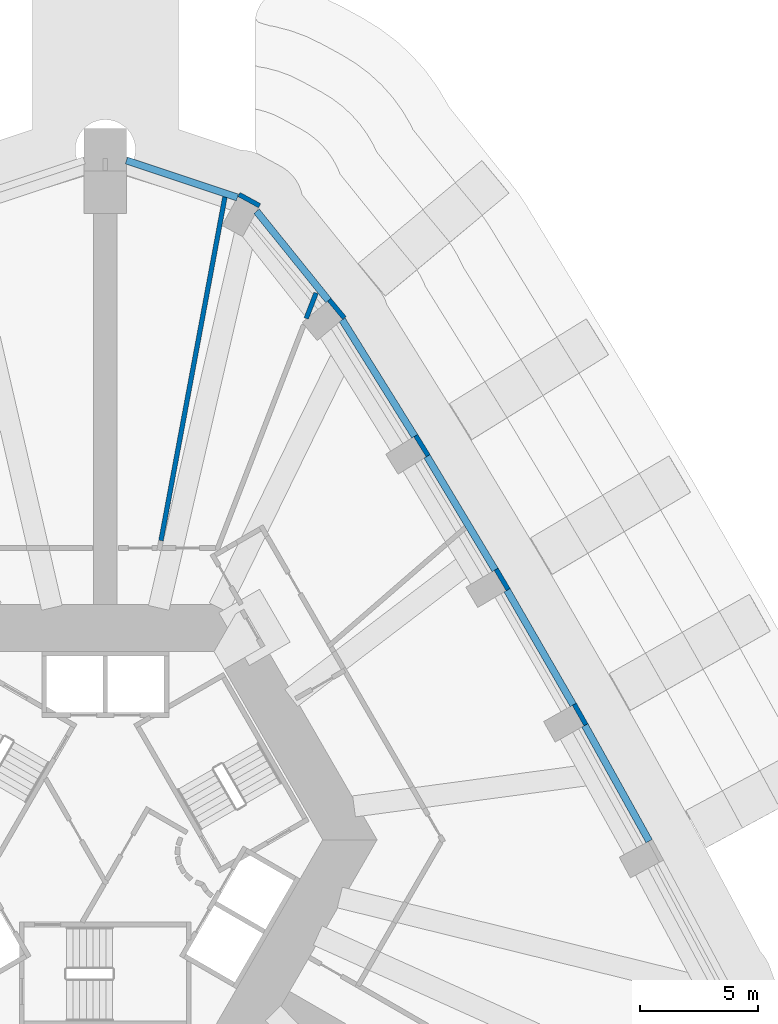
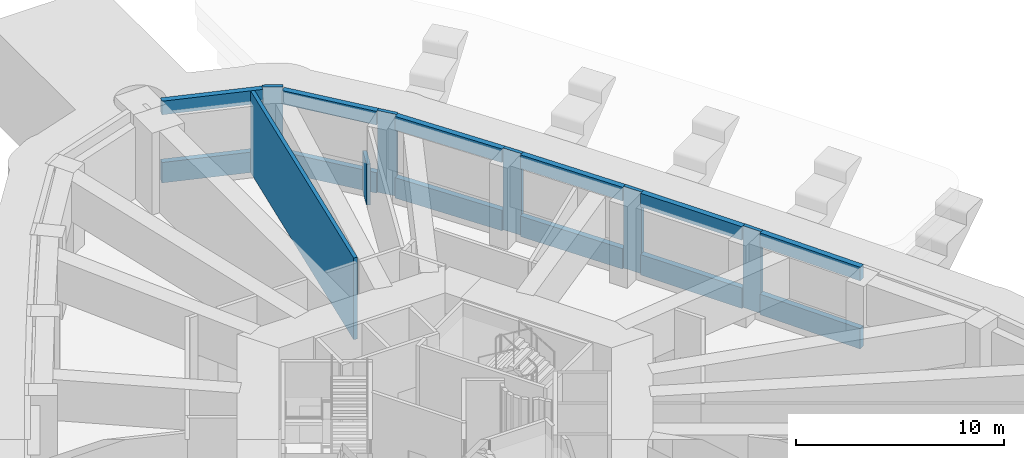
# One storey, part 8 of 16: 19 walls.
"""IFC4 building model written with IfcOpenShell, lengths in metres."""

import ifcopenshell
import ifcopenshell.guid

model = None  # the IFC model being written
_history = None  # IfcOwnerHistory: only IFC2X3 demands one
_inside = {}  # id of a spatial element -> (the spatial element, [elements in it])
_under = {}  # id of a project, library or spatial element -> (it, [spatial elements below it])
_declared = {}  # id of a project -> (the project, [libraries it declares])
_typed = {}  # id of a type object -> (the type object, [elements of that type])
_made_of = {}  # id of a material, layer set ... -> (it, [elements and type objects made of it])


def new_model(schema):
    """Start an empty IFC model of exactly this schema.

    Asked for "IFC4X3", IfcOpenShell would pick the latest addendum, in which some entities
    have other attributes; the version numbers below select the first issue.
    IFC2X3 requires an IfcOwnerHistory on every rooted entity: one is made here for all.
    """
    global model, _history
    if schema == "IFC4X3":
        model = ifcopenshell.file(schema_version=(4, 3, 0, 0))
    else:
        model = ifcopenshell.file(schema=schema)
    _inside.clear()
    _under.clear()
    _declared.clear()
    _typed.clear()
    _made_of.clear()
    _history = None
    if model.schema == "IFC2X3":
        org = make("IfcOrganization", Name="unknown")
        user = make(
            "IfcPersonAndOrganization",
            ThePerson=make("IfcPerson", FamilyName="unknown"),
            TheOrganization=org,
        )
        app = make(
            "IfcApplication",
            ApplicationDeveloper=org,
            Version="unknown",
            ApplicationFullName="unknown",
            ApplicationIdentifier="unknown",
        )
        _history = make(
            "IfcOwnerHistory",
            OwningUser=user,
            OwningApplication=app,
            ChangeAction="ADDED",
            CreationDate=0,
        )
    return model


def make(cls, **values):
    """One entity of the class cls with the attributes given. An attribute that is None is left unset."""
    return model.create_entity(
        cls, **{name: value for name, value in values.items() if value is not None}
    )


def rooted(cls, **values):
    """An entity with a GlobalId (a new one), such as an element, a storey or a relation."""
    return make(cls, GlobalId=ifcopenshell.guid.new(), OwnerHistory=_history, **values)


def si_unit(unit_type, name, prefix=None):
    """IfcSIUnit, for example si_unit("LENGTHUNIT", "METRE", prefix="MILLI")."""
    return make("IfcSIUnit", UnitType=unit_type, Prefix=prefix, Name=name)


def assignment(units):
    """IfcUnitAssignment: the units of a project."""
    return None if units is None else make("IfcUnitAssignment", Units=units)


def point(xyz):
    """IfcCartesianPoint."""
    return None if xyz is None else make("IfcCartesianPoint", Coordinates=xyz)


def direction(xyz):
    """IfcDirection."""
    return None if xyz is None else make("IfcDirection", DirectionRatios=xyz)


def frame(location, z_axis=None, x_axis=None):
    """IfcAxis2Placement3D, a coordinate frame: its origin and axes. An axis left out is left unset."""
    return make(
        "IfcAxis2Placement3D",
        Location=point(location),
        Axis=direction(z_axis),
        RefDirection=direction(x_axis),
    )


def frame_2d(location, x_axis=None):
    """IfcAxis2Placement2D, a coordinate frame in the plane: its origin and x axis."""
    return make(
        "IfcAxis2Placement2D", Location=point(location), RefDirection=direction(x_axis)
    )


def origin():
    """The frame at (0, 0, 0) with its axes left unset."""
    return frame((0.0, 0.0, 0.0))


def place(relative_to, where):
    """IfcLocalPlacement: puts the frame where relative to a parent placement (None: the world)."""
    return make(
        "IfcLocalPlacement", PlacementRelTo=relative_to, RelativePlacement=where
    )


def context(
    kind, dimensions, precision=None, world=None, true_north=None, identifier=None
):
    """IfcGeometricRepresentationContext, for example the 3D "Model" context."""
    return make(
        "IfcGeometricRepresentationContext",
        ContextIdentifier=identifier,
        ContextType=kind,
        CoordinateSpaceDimension=dimensions,
        Precision=precision,
        WorldCoordinateSystem=world,
        TrueNorth=true_north,
    )


def subcontext(parent, identifier, kind, view, scale=None):
    """IfcGeometricRepresentationSubContext, for example "Body" below "Model"."""
    return make(
        "IfcGeometricRepresentationSubContext",
        ContextIdentifier=identifier,
        ContextType=kind,
        ParentContext=parent,
        TargetScale=scale,
        TargetView=view,
    )


def project(units=None, contexts=None):
    """IfcProject with its units and contexts."""
    return rooted(
        "IfcProject",
        Name="project",
        RepresentationContexts=contexts,
        UnitsInContext=assignment(units),
    )


def spatial(cls, under=None, at=None, **own):
    """A site, building, storey or space (cls), placed at a placement, below another one or the project."""
    s = rooted(cls, ObjectPlacement=at, **own)
    if under is not None:
        _under.setdefault(under.id(), (under, []))[1].append(s)
    return s


def profile(cls, at=None, kind="AREA", **sizes):
    """A parametric profile (cls). Its sizes go by their IFC names, for example OverallWidth=200.0."""
    return make(cls, ProfileType=kind, Position=at, **sizes)


def rectangle(**sizes):
    """IfcRectangleProfileDef."""
    return profile("IfcRectangleProfileDef", **sizes)


def extrude(swept, where, along, depth):
    """IfcExtrudedAreaSolid: the profile swept, set in the frame where, extruded along a direction by depth."""
    return make(
        "IfcExtrudedAreaSolid",
        SweptArea=swept,
        Position=where,
        ExtrudedDirection=direction(along),
        Depth=depth,
    )


def shape(context_of_items, identifier, shape_type, items):
    """IfcShapeRepresentation: the items that make up one representation, for example the "Body"."""
    return make(
        "IfcShapeRepresentation",
        ContextOfItems=context_of_items,
        RepresentationIdentifier=identifier,
        RepresentationType=shape_type,
        Items=items,
    )


def material(Name=None, Category=None):
    """IfcMaterial."""
    return make("IfcMaterial", Name=Name, Category=Category)


def layer(
    of_material, thickness, ventilated=None, Name=None, Category=None, Priority=None
):
    """IfcMaterialLayer: one layer of a wall or slab, of a material (None: an air gap)."""
    return make(
        "IfcMaterialLayer",
        Material=of_material,
        LayerThickness=thickness,
        IsVentilated=ventilated,
        Name=Name,
        Category=Category,
        Priority=Priority,
    )


def layer_set(layers, Name=None):
    """IfcMaterialLayerSet."""
    return make("IfcMaterialLayerSet", MaterialLayers=layers, LayerSetName=Name)


def made_of(thing, what):
    """Note that an element or type object is made of a material, layer set ...; save() writes the relation."""
    if what is not None:
        _made_of.setdefault(what.id(), (what, []))[1].append(thing)
    return thing


def type_object(cls, material=None, **own):
    """A type object (cls), such as IfcWallType, which elements share."""
    return made_of(rooted(cls, **own), material)


def element(
    cls,
    number,
    at=None,
    inside=None,
    cuts=None,
    type_object=None,
    material=None,
    context=None,
    identifier="Body",
    shape_type=None,
    held_by="IfcProductDefinitionShape",
    body=None,
    shapes=None,
    **own,
):
    """One element of the class cls, such as IfcWall. Its Tag is "e" and its number.

    at: its placement. inside: the storey or other place that contains it. cuts: it is an
    opening in that element (IfcRelVoidsElement). A single representation is given by context,
    identifier, shape_type and body (its items); several are given by shapes. held_by: the class
    of the entity that holds the representations. save() writes the other relations.
    """
    e = rooted(cls, Tag="e%d" % number, ObjectPlacement=at, **own)
    if body is not None:
        shapes = [shape(context, identifier, shape_type, body)]
    if shapes is not None:
        e.Representation = make(held_by, Representations=shapes)
    if inside is not None:
        _inside.setdefault(inside.id(), (inside, []))[1].append(e)
    if cuts is not None:
        rooted(
            "IfcRelVoidsElement", RelatingBuildingElement=cuts, RelatedOpeningElement=e
        )
    if type_object is not None:
        _typed.setdefault(type_object.id(), (type_object, []))[1].append(e)
    return made_of(e, material)


def aggregate(whole, parts):
    """IfcRelAggregates: a whole, such as a stair, and the parts it consists of."""
    return rooted("IfcRelAggregates", RelatingObject=whole, RelatedObjects=parts)


def save(model, path):
    """Write the relations noted so far, then the file.

    IfcRelAggregates (storeys below a building ...), IfcRelContainedInSpatialStructure (elements
    in a storey), IfcRelDefinesByType, IfcRelAssociatesMaterial and IfcRelDeclares: one each for
    every whole, place, type object, material and project.
    """
    for whole, parts in _under.values():
        aggregate(whole, parts)
    for where, things in _inside.values():
        rooted(
            "IfcRelContainedInSpatialStructure",
            RelatedElements=things,
            RelatingStructure=where,
        )
    for kind, things in _typed.values():
        rooted("IfcRelDefinesByType", RelatedObjects=things, RelatingType=kind)
    for what, things in _made_of.values():
        rooted("IfcRelAssociatesMaterial", RelatedObjects=things, RelatingMaterial=what)
    for by, libraries in _declared.values():
        rooted("IfcRelDeclares", RelatingContext=by, RelatedDefinitions=libraries)
    model.write(path)


model = new_model("IFC4")

# Units and contexts
model_context = context("Model", 3, precision=1e-05, world=origin(), true_north=direction((0.0, 1.0)))
body_context = subcontext(model_context, "Body", "Model", "MODEL_VIEW")
ifc_project = project(units=[si_unit("LENGTHUNIT", "METRE"), si_unit("AREAUNIT", "SQUARE_METRE"), si_unit("VOLUMEUNIT", "CUBIC_METRE"), si_unit("PLANEANGLEUNIT", "RADIAN"), si_unit("MASSUNIT", "GRAM", prefix="KILO")], contexts=[model_context])

# Site, building, storey
site_placement = place(None, origin())
site = spatial("IfcSite", under=ifc_project, at=site_placement, CompositionType="ELEMENT")
building_placement = place(site_placement, origin())
building = spatial("IfcBuilding", under=site, at=building_placement, Name="Entoto Arch Interchange Tower", CompositionType="ELEMENT")
storey_placement = place(building_placement, frame((0.0, 0.0, 281.0)))
storey = spatial("IfcBuildingStorey", under=building, at=storey_placement, Name="L65", CompositionType="ELEMENT", Elevation=281.0)

# Walls
ifc_material_1 = material(Name="Gypsum board partition on steel studs", Category="steel")
ifc_layer_1 = layer(ifc_material_1, 0.199951171875)
ifc_layer_set_1 = layer_set([ifc_layer_1], Name="Gypsum board partition on steel studs")
wall_type_1 = type_object("IfcWallType", Name="PARTITION 200", PredefinedType="PARTITIONING", material=ifc_layer_set_1)
wall_1_placement = place(storey_placement, frame((8.5380859375, 24.653076171875, 0.0), z_axis=(0.0, 0.0, 1.0), x_axis=(0.359767534995, 0.933041971598, 0.0)))
element("IfcWall", 1, at=wall_1_placement, inside=storey, type_object=wall_type_1, Name="wall:L65:p039", PredefinedType="PARTITIONING", context=body_context, shape_type="SweptSolid", body=[
    extrude(rectangle(XDim=1.161865234375, YDim=0.199951171875, at=frame_2d((0.5810546875, 0.0))), origin(), (0.0, 0.0, 1.0), 2.39990234375),
])
wall_2_placement = place(storey_placement, frame((2.365966796875, 15.215087890625, 0.0), z_axis=(0.0, 0.0, 1.0), x_axis=(0.182895721474, 0.983132318188, 0.0)))
element("IfcWall", 2, at=wall_2_placement, inside=storey, type_object=wall_type_1, Name="wall:L65:p040", PredefinedType="PARTITIONING", context=body_context, shape_type="SweptSolid", body=[
    extrude(rectangle(XDim=14.850341796875, YDim=0.199951171875, at=frame_2d((7.42529296875, 0.0))), origin(), (0.0, 0.0, 1.0), 4.800048828125),
])
ifc_material_2 = material(Name="Board-marked precast concrete C50/60", Category="concrete")
ifc_layer_2 = layer(ifc_material_2, 0.199951171875)
ifc_layer_set_2 = layer_set([ifc_layer_2], Name="Board-marked precast concrete C50/60")
wall_type_2 = type_object("IfcWallType", Name="PRECAST FRAME WALL 200", PredefinedType="STANDARD", material=ifc_layer_set_2)
wall_3_placement = place(storey_placement, frame((6.555908203125, 29.444091796875, 0.0), z_axis=(0.0, 0.0, 1.0), x_axis=(-0.878250009632, 0.478201757191, 0.0)))
element("IfcWall", 3, at=wall_3_placement, inside=storey, type_object=wall_type_2, Name="Frame pier N1 L65", PredefinedType="STANDARD", context=body_context, shape_type="SweptSolid", body=[
    extrude(rectangle(XDim=0.999755859375, YDim=0.199951171875, at=frame_2d((0.5, 0.0))), origin(), (0.0, 0.0, 1.0), 4.800048828125),
])
wall_4_placement = place(storey_placement, frame((20.424072265625, 7.386962890625, 0.0), z_axis=(0.0, 0.0, 1.0), x_axis=(-0.491928603027, 0.870635543453, 0.0)))
element("IfcWall", 4, at=wall_4_placement, inside=storey, type_object=wall_type_2, Name="Frame pier NE03 L65", PredefinedType="STANDARD", context=body_context, shape_type="SweptSolid", body=[
    extrude(rectangle(XDim=1.00048828125, YDim=0.199951171875, at=frame_2d((0.500244140625, 0.0))), origin(), (0.0, 0.0, 1.0), 4.800048828125),
])
wall_5_placement = place(storey_placement, frame((17.117919921875, 13.133056640625, 0.0), z_axis=(0.0, 0.0, 1.0), x_axis=(-0.508087253435, 0.86130560366, 0.0)))
element("IfcWall", 5, at=wall_5_placement, inside=storey, type_object=wall_type_2, Name="Frame pier NE04 L65", PredefinedType="STANDARD", context=body_context, shape_type="SweptSolid", body=[
    extrude(rectangle(XDim=0.99951171875, YDim=0.199951171875, at=frame_2d((0.499755859375, 0.0))), origin(), (0.0, 0.0, 1.0), 4.800048828125),
])
wall_6_placement = place(storey_placement, frame((13.718017578125, 18.822998046875, 0.0), z_axis=(0.0, 0.0, 1.0), x_axis=(-0.525825307325, 0.850592585306, 0.0)))
element("IfcWall", 6, at=wall_6_placement, inside=storey, type_object=wall_type_2, Name="Frame pier NE05 L65", PredefinedType="STANDARD", context=body_context, shape_type="SweptSolid", body=[
    extrude(rectangle(XDim=1.00048828125, YDim=0.199951171875, at=frame_2d((0.500244140625, 0.0))), origin(), (0.0, 0.0, 1.0), 4.800048828125),
])
wall_7_placement = place(storey_placement, frame((10.156982421875, 24.672119140625, 0.0), z_axis=(0.0, 0.0, 1.0), x_axis=(-0.638092327136, 0.769959857428, 0.0)))
element("IfcWall", 7, at=wall_7_placement, inside=storey, type_object=wall_type_2, Name="Frame pier NE06 L65", PredefinedType="STANDARD", context=body_context, shape_type="SweptSolid", body=[
    extrude(rectangle(XDim=0.999755859375, YDim=0.199951171875, at=frame_2d((0.5, 0.0))), origin(), (0.0, 0.0, 1.0), 4.800048828125),
])
ifc_layer_3 = layer(ifc_material_2, 0.300048828125)
ifc_layer_set_3 = layer_set([ifc_layer_3], Name="Board-marked precast concrete C50/60")
wall_type_3 = type_object("IfcWallType", Name="PRECAST FRAME WALL 300", PredefinedType="STANDARD", material=ifc_layer_set_3)
wall_8_placement = place(storey_placement, frame((23.111083984375, 2.44091796875, 0.0), z_axis=(0.0, 0.0, 1.0), x_axis=(-0.485665023555, 0.874145002214, 0.0)))
element("IfcWall", 8, at=wall_8_placement, inside=storey, type_object=wall_type_3, Name="Frame sill wall NE-02 L65", PredefinedType="STANDARD", context=body_context, shape_type="SweptSolid", body=[
    extrude(rectangle(XDim=5.629638671875, YDim=0.300048828125, at=frame_2d((2.81494140625, 0.0))), origin(), (0.0, 0.0, 1.0), 1.199951171875),
])
wall_9_placement = place(storey_placement, frame((23.111083984375, 2.44091796875, 4.0), z_axis=(0.0, 0.0, 1.0), x_axis=(-0.485665023555, 0.874145002214, 0.0)))
element("IfcWall", 9, at=wall_9_placement, inside=storey, type_object=wall_type_3, Name="Frame head wall NE-02 L65", PredefinedType="STANDARD", context=body_context, shape_type="SweptSolid", body=[
    extrude(rectangle(XDim=5.629638671875, YDim=0.300048828125, at=frame_2d((2.81494140625, 0.0))), origin(), (0.0, 0.0, 1.0), 0.800048828125),
])
wall_10_placement = place(storey_placement, frame((19.885009765625, 8.22998046875, 0.0), z_axis=(0.0, 0.0, 1.0), x_axis=(-0.49997269499, 0.866041167766, 0.0)))
element("IfcWall", 10, at=wall_10_placement, inside=storey, type_object=wall_type_3, Name="Frame sill wall NE-03 L65", PredefinedType="STANDARD", context=body_context, shape_type="SweptSolid", body=[
    extrude(rectangle(XDim=5.630126953125, YDim=0.300048828125, at=frame_2d((2.81494140625, 0.0))), origin(), (0.0, 0.0, 1.0), 1.199951171875),
])
wall_11_placement = place(storey_placement, frame((19.885009765625, 8.22998046875, 4.0), z_axis=(0.0, 0.0, 1.0), x_axis=(-0.49997269499, 0.866041167766, 0.0)))
element("IfcWall", 11, at=wall_11_placement, inside=storey, type_object=wall_type_3, Name="Frame head wall NE-03 L65", PredefinedType="STANDARD", context=body_context, shape_type="SweptSolid", body=[
    extrude(rectangle(XDim=5.630126953125, YDim=0.300048828125, at=frame_2d((2.81494140625, 0.0))), origin(), (0.0, 0.0, 1.0), 0.800048828125),
])
wall_12_placement = place(storey_placement, frame((16.56396484375, 13.966064453125, 0.0), z_axis=(0.0, 0.0, 1.0), x_axis=(-0.514272513936, 0.857626831092, 0.0)))
element("IfcWall", 12, at=wall_12_placement, inside=storey, type_object=wall_type_3, Name="Frame sill wall NE-04 L65", PredefinedType="STANDARD", context=body_context, shape_type="SweptSolid", body=[
    extrude(rectangle(XDim=5.62939453125, YDim=0.300048828125, at=frame_2d((2.814697265625, 0.0))), origin(), (0.0, 0.0, 1.0), 1.199951171875),
])
wall_13_placement = place(storey_placement, frame((16.56396484375, 13.966064453125, 4.0), z_axis=(0.0, 0.0, 1.0), x_axis=(-0.514272513936, 0.857626831092, 0.0)))
element("IfcWall", 13, at=wall_13_placement, inside=storey, type_object=wall_type_3, Name="Frame head wall NE-04 L65", PredefinedType="STANDARD", context=body_context, shape_type="SweptSolid", body=[
    extrude(rectangle(XDim=5.62939453125, YDim=0.300048828125, at=frame_2d((2.814697265625, 0.0))), origin(), (0.0, 0.0, 1.0), 0.800048828125),
])
wall_14_placement = place(storey_placement, frame((13.14892578125, 19.64599609375, 0.0), z_axis=(0.0, 0.0, 1.0), x_axis=(-0.528722913279, 0.848794486889, 0.0)))
element("IfcWall", 14, at=wall_14_placement, inside=storey, type_object=wall_type_3, Name="Frame sill wall NE-05 L65", PredefinedType="STANDARD", context=body_context, shape_type="SweptSolid", body=[
    extrude(rectangle(XDim=5.8330078125, YDim=0.300048828125, at=frame_2d((2.91650390625, 0.0))), origin(), (0.0, 0.0, 1.0), 1.199951171875),
])
wall_15_placement = place(storey_placement, frame((13.14892578125, 19.64599609375, 4.0), z_axis=(0.0, 0.0, 1.0), x_axis=(-0.528722913279, 0.848794486889, 0.0)))
element("IfcWall", 15, at=wall_15_placement, inside=storey, type_object=wall_type_3, Name="Frame head wall NE-05 L65", PredefinedType="STANDARD", context=body_context, shape_type="SweptSolid", body=[
    extrude(rectangle(XDim=5.8330078125, YDim=0.300048828125, at=frame_2d((2.91650390625, 0.0))), origin(), (0.0, 0.0, 1.0), 0.800048828125),
])
wall_16_placement = place(storey_placement, frame((9.486083984375, 25.4140625, 0.0), z_axis=(0.0, 0.0, 1.0), x_axis=(-0.627683908381, 0.778468310954, 0.0)))
element("IfcWall", 16, at=wall_16_placement, inside=storey, type_object=wall_type_3, Name="Frame sill wall N-01 L65", PredefinedType="STANDARD", context=body_context, shape_type="SweptSolid", body=[
    extrude(rectangle(XDim=4.87353515625, YDim=0.300048828125, at=frame_2d((2.436767578125, 0.0))), origin(), (0.0, 0.0, 1.0), 1.199951171875),
])
wall_17_placement = place(storey_placement, frame((9.486083984375, 25.4140625, 4.0), z_axis=(0.0, 0.0, 1.0), x_axis=(-0.627683908381, 0.778468310954, 0.0)))
element("IfcWall", 17, at=wall_17_placement, inside=storey, type_object=wall_type_3, Name="Frame head wall N-01 L65", PredefinedType="STANDARD", context=body_context, shape_type="SweptSolid", body=[
    extrude(rectangle(XDim=4.87353515625, YDim=0.300048828125, at=frame_2d((2.436767578125, 0.0))), origin(), (0.0, 0.0, 1.0), 0.800048828125),
])
wall_18_placement = place(storey_placement, frame((5.611083984375, 29.797119140625, 0.0), z_axis=(0.0, 0.0, 1.0), x_axis=(-0.948737354495, 0.316065550459, 0.0)))
element("IfcWall", 18, at=wall_18_placement, inside=storey, type_object=wall_type_3, Name="Frame sill wall N-02 L65", PredefinedType="STANDARD", context=body_context, shape_type="SweptSolid", body=[
    extrude(rectangle(XDim=4.966796875, YDim=0.300048828125, at=frame_2d((2.4833984375, 0.0))), origin(), (0.0, 0.0, 1.0), 1.199951171875),
])
wall_19_placement = place(storey_placement, frame((5.611083984375, 29.797119140625, 4.0), z_axis=(0.0, 0.0, 1.0), x_axis=(-0.948737354495, 0.316065550459, 0.0)))
element("IfcWall", 19, at=wall_19_placement, inside=storey, type_object=wall_type_3, Name="Frame head wall N-02 L65", PredefinedType="STANDARD", context=body_context, shape_type="SweptSolid", body=[
    extrude(rectangle(XDim=4.966796875, YDim=0.300048828125, at=frame_2d((2.4833984375, 0.0))), origin(), (0.0, 0.0, 1.0), 0.800048828125),
])

save(model, "model.ifc")
